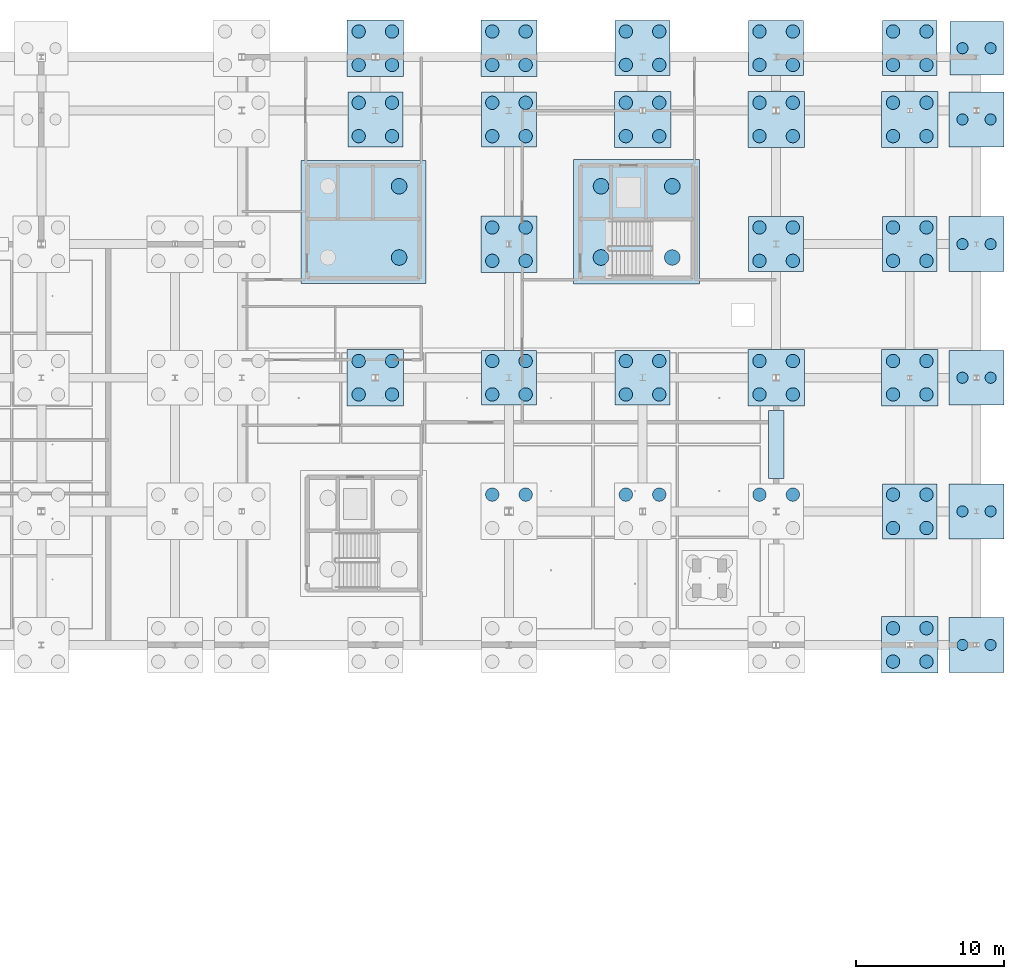
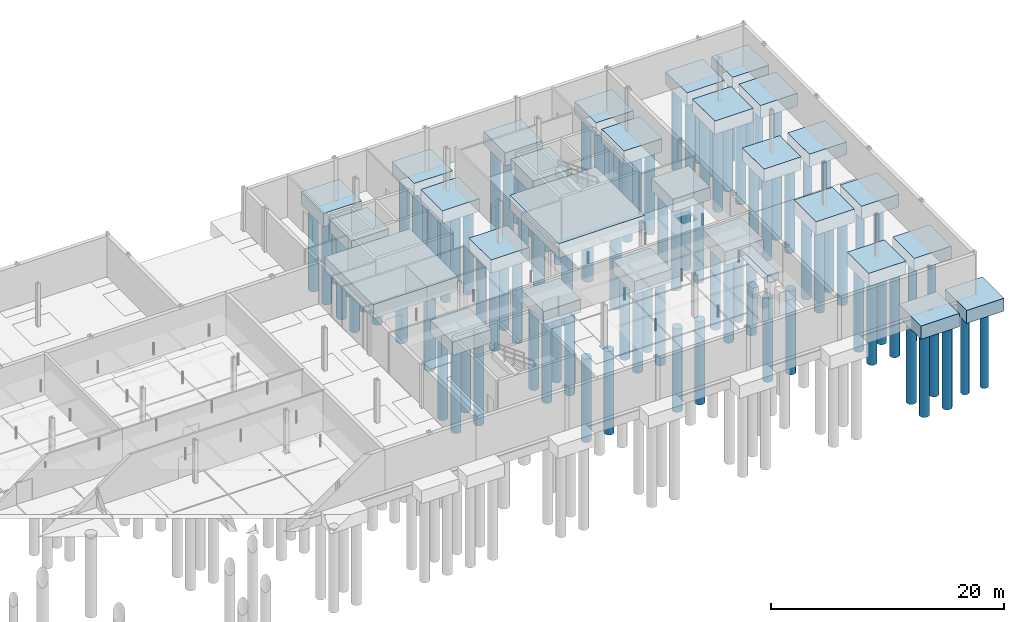
# One storey, part 4 of 48: 104 piles, 29 footings.
"""IFC4 building model written with IfcOpenShell, lengths in metres."""

import ifcopenshell
import ifcopenshell.guid

model = None  # the IFC model being written
_history = None  # IfcOwnerHistory: only IFC2X3 demands one
_inside = {}  # id of a spatial element -> (the spatial element, [elements in it])
_under = {}  # id of a project, library or spatial element -> (it, [spatial elements below it])
_declared = {}  # id of a project -> (the project, [libraries it declares])
_typed = {}  # id of a type object -> (the type object, [elements of that type])
_made_of = {}  # id of a material, layer set ... -> (it, [elements and type objects made of it])


def new_model(schema):
    """Start an empty IFC model of exactly this schema.

    Asked for "IFC4X3", IfcOpenShell would pick the latest addendum, in which some entities
    have other attributes; the version numbers below select the first issue.
    IFC2X3 requires an IfcOwnerHistory on every rooted entity: one is made here for all.
    """
    global model, _history
    if schema == "IFC4X3":
        model = ifcopenshell.file(schema_version=(4, 3, 0, 0))
    else:
        model = ifcopenshell.file(schema=schema)
    _inside.clear()
    _under.clear()
    _declared.clear()
    _typed.clear()
    _made_of.clear()
    _history = None
    if model.schema == "IFC2X3":
        org = make("IfcOrganization", Name="unknown")
        user = make(
            "IfcPersonAndOrganization",
            ThePerson=make("IfcPerson", FamilyName="unknown"),
            TheOrganization=org,
        )
        app = make(
            "IfcApplication",
            ApplicationDeveloper=org,
            Version="unknown",
            ApplicationFullName="unknown",
            ApplicationIdentifier="unknown",
        )
        _history = make(
            "IfcOwnerHistory",
            OwningUser=user,
            OwningApplication=app,
            ChangeAction="ADDED",
            CreationDate=0,
        )
    return model


def make(cls, **values):
    """One entity of the class cls with the attributes given. An attribute that is None is left unset."""
    return model.create_entity(
        cls, **{name: value for name, value in values.items() if value is not None}
    )


def rooted(cls, **values):
    """An entity with a GlobalId (a new one), such as an element, a storey or a relation."""
    return make(cls, GlobalId=ifcopenshell.guid.new(), OwnerHistory=_history, **values)


def si_unit(unit_type, name, prefix=None):
    """IfcSIUnit, for example si_unit("LENGTHUNIT", "METRE", prefix="MILLI")."""
    return make("IfcSIUnit", UnitType=unit_type, Prefix=prefix, Name=name)


def assignment(units):
    """IfcUnitAssignment: the units of a project."""
    return None if units is None else make("IfcUnitAssignment", Units=units)


def point(xyz):
    """IfcCartesianPoint."""
    return None if xyz is None else make("IfcCartesianPoint", Coordinates=xyz)


def direction(xyz):
    """IfcDirection."""
    return None if xyz is None else make("IfcDirection", DirectionRatios=xyz)


def frame(location, z_axis=None, x_axis=None):
    """IfcAxis2Placement3D, a coordinate frame: its origin and axes. An axis left out is left unset."""
    return make(
        "IfcAxis2Placement3D",
        Location=point(location),
        Axis=direction(z_axis),
        RefDirection=direction(x_axis),
    )


def frame_2d(location, x_axis=None):
    """IfcAxis2Placement2D, a coordinate frame in the plane: its origin and x axis."""
    return make(
        "IfcAxis2Placement2D", Location=point(location), RefDirection=direction(x_axis)
    )


def origin():
    """The frame at (0, 0, 0) with its axes left unset."""
    return frame((0.0, 0.0, 0.0))


def origin_2d():
    """The frame at (0, 0) in the plane with its x axis left unset."""
    return frame_2d((0.0, 0.0))


def place(relative_to, where):
    """IfcLocalPlacement: puts the frame where relative to a parent placement (None: the world)."""
    return make(
        "IfcLocalPlacement", PlacementRelTo=relative_to, RelativePlacement=where
    )


def context(
    kind, dimensions, precision=None, world=None, true_north=None, identifier=None
):
    """IfcGeometricRepresentationContext, for example the 3D "Model" context."""
    return make(
        "IfcGeometricRepresentationContext",
        ContextIdentifier=identifier,
        ContextType=kind,
        CoordinateSpaceDimension=dimensions,
        Precision=precision,
        WorldCoordinateSystem=world,
        TrueNorth=true_north,
    )


def subcontext(parent, identifier, kind, view, scale=None):
    """IfcGeometricRepresentationSubContext, for example "Body" below "Model"."""
    return make(
        "IfcGeometricRepresentationSubContext",
        ContextIdentifier=identifier,
        ContextType=kind,
        ParentContext=parent,
        TargetScale=scale,
        TargetView=view,
    )


def project(units=None, contexts=None):
    """IfcProject with its units and contexts."""
    return rooted(
        "IfcProject",
        Name="project",
        RepresentationContexts=contexts,
        UnitsInContext=assignment(units),
    )


def spatial(cls, under=None, at=None, **own):
    """A site, building, storey or space (cls), placed at a placement, below another one or the project."""
    s = rooted(cls, ObjectPlacement=at, **own)
    if under is not None:
        _under.setdefault(under.id(), (under, []))[1].append(s)
    return s


def profile(cls, at=None, kind="AREA", **sizes):
    """A parametric profile (cls). Its sizes go by their IFC names, for example OverallWidth=200.0."""
    return make(cls, ProfileType=kind, Position=at, **sizes)


def rectangle(**sizes):
    """IfcRectangleProfileDef."""
    return profile("IfcRectangleProfileDef", **sizes)


def circle(**sizes):
    """IfcCircleProfileDef."""
    return profile("IfcCircleProfileDef", **sizes)


def extrude(swept, where, along, depth):
    """IfcExtrudedAreaSolid: the profile swept, set in the frame where, extruded along a direction by depth."""
    return make(
        "IfcExtrudedAreaSolid",
        SweptArea=swept,
        Position=where,
        ExtrudedDirection=direction(along),
        Depth=depth,
    )


def shape(context_of_items, identifier, shape_type, items):
    """IfcShapeRepresentation: the items that make up one representation, for example the "Body"."""
    return make(
        "IfcShapeRepresentation",
        ContextOfItems=context_of_items,
        RepresentationIdentifier=identifier,
        RepresentationType=shape_type,
        Items=items,
    )


def material(Name=None, Category=None):
    """IfcMaterial."""
    return make("IfcMaterial", Name=Name, Category=Category)


def material_profile(
    of_material, cross_section, Name=None, Category=None, Priority=None
):
    """IfcMaterialProfile: a cross section and its material."""
    return make(
        "IfcMaterialProfile",
        Name=Name,
        Material=of_material,
        Profile=cross_section,
        Priority=Priority,
        Category=Category,
    )


def profile_set(profiles, Name=None, composite=None):
    """IfcMaterialProfileSet."""
    return make(
        "IfcMaterialProfileSet",
        Name=Name,
        MaterialProfiles=profiles,
        CompositeProfile=composite,
    )


def made_of(thing, what):
    """Note that an element or type object is made of a material, layer set ...; save() writes the relation."""
    if what is not None:
        _made_of.setdefault(what.id(), (what, []))[1].append(thing)
    return thing


def type_object(cls, material=None, **own):
    """A type object (cls), such as IfcWallType, which elements share."""
    return made_of(rooted(cls, **own), material)


def element(
    cls,
    number,
    at=None,
    inside=None,
    cuts=None,
    type_object=None,
    material=None,
    context=None,
    identifier="Body",
    shape_type=None,
    held_by="IfcProductDefinitionShape",
    body=None,
    shapes=None,
    **own,
):
    """One element of the class cls, such as IfcWall. Its Tag is "e" and its number.

    at: its placement. inside: the storey or other place that contains it. cuts: it is an
    opening in that element (IfcRelVoidsElement). A single representation is given by context,
    identifier, shape_type and body (its items); several are given by shapes. held_by: the class
    of the entity that holds the representations. save() writes the other relations.
    """
    e = rooted(cls, Tag="e%d" % number, ObjectPlacement=at, **own)
    if body is not None:
        shapes = [shape(context, identifier, shape_type, body)]
    if shapes is not None:
        e.Representation = make(held_by, Representations=shapes)
    if inside is not None:
        _inside.setdefault(inside.id(), (inside, []))[1].append(e)
    if cuts is not None:
        rooted(
            "IfcRelVoidsElement", RelatingBuildingElement=cuts, RelatedOpeningElement=e
        )
    if type_object is not None:
        _typed.setdefault(type_object.id(), (type_object, []))[1].append(e)
    return made_of(e, material)


def aggregate(whole, parts):
    """IfcRelAggregates: a whole, such as a stair, and the parts it consists of."""
    return rooted("IfcRelAggregates", RelatingObject=whole, RelatedObjects=parts)


def save(model, path):
    """Write the relations noted so far, then the file.

    IfcRelAggregates (storeys below a building ...), IfcRelContainedInSpatialStructure (elements
    in a storey), IfcRelDefinesByType, IfcRelAssociatesMaterial and IfcRelDeclares: one each for
    every whole, place, type object, material and project.
    """
    for whole, parts in _under.values():
        aggregate(whole, parts)
    for where, things in _inside.values():
        rooted(
            "IfcRelContainedInSpatialStructure",
            RelatedElements=things,
            RelatingStructure=where,
        )
    for kind, things in _typed.values():
        rooted("IfcRelDefinesByType", RelatedObjects=things, RelatingType=kind)
    for what, things in _made_of.values():
        rooted("IfcRelAssociatesMaterial", RelatedObjects=things, RelatingMaterial=what)
    for by, libraries in _declared.values():
        rooted("IfcRelDeclares", RelatingContext=by, RelatedDefinitions=libraries)
    model.write(path)


model = new_model("IFC4")

# Units and contexts
model_context = context("Model", 3, precision=1e-05, world=origin(), true_north=direction((0.0, 1.0)))
body_context = subcontext(model_context, "Body", "Model", "MODEL_VIEW")
ifc_project = project(units=[si_unit("LENGTHUNIT", "METRE"), si_unit("AREAUNIT", "SQUARE_METRE"), si_unit("VOLUMEUNIT", "CUBIC_METRE"), si_unit("PLANEANGLEUNIT", "RADIAN"), si_unit("MASSUNIT", "GRAM", prefix="KILO"), si_unit("THERMODYNAMICTEMPERATUREUNIT", "KELVIN"), si_unit("POWERUNIT", "WATT")], contexts=[model_context])

# Site, building, storey
site_placement = place(None, origin())
site = spatial("IfcSite", under=ifc_project, at=site_placement, CompositionType="ELEMENT")
building_placement = place(site_placement, origin())
building = spatial("IfcBuilding", under=site, at=building_placement, Name="Tallowbark Science Centre", CompositionType="ELEMENT")
storey_placement = place(building_placement, frame((0.0, 0.0, -4.5)))
storey = spatial("IfcBuildingStorey", under=building, at=storey_placement, Name="B1", CompositionType="ELEMENT", Elevation=-4.5)

# Footings
ifc_material = material(Name="Concrete Grade N40 (40 MPa)", Category="concrete")
footing_type_1 = type_object("IfcFootingType", Name="FTG-CORE-C4", PredefinedType="PILE_CAP", material=ifc_material)
footing_1_placement = place(storey_placement, frame((139.10009765625, 100.5, -1.5), z_axis=(0.0, 0.0, 1.0), x_axis=(1.0, 0.0, 0.0)))
element("IfcFooting", 1, at=footing_1_placement, inside=storey, type_object=footing_type_1, Name="Core Mat Pile Cap C4", PredefinedType="PILE_CAP", context=body_context, shape_type="SweptSolid", body=[
    extrude(rectangle(XDim=8.5, YDim=8.39990234375, at=origin_2d()), origin(), (0.0, 0.0, 1.0), 1.5),
])
footing_type_2 = type_object("IfcFootingType", Name="FTG-CORE-C5", PredefinedType="PILE_CAP", material=ifc_material)
footing_2_placement = place(storey_placement, frame((120.699951171875, 100.5, -1.4501953125), z_axis=(0.0, 0.0, 1.0), x_axis=(1.0, 0.0, 0.0)))
element("IfcFooting", 2, at=footing_2_placement, inside=storey, type_object=footing_type_2, Name="Core Mat Pile Cap C5", PredefinedType="PILE_CAP", context=body_context, shape_type="SweptSolid", body=[
    extrude(rectangle(XDim=8.39990234375, YDim=8.300048828125, at=origin_2d()), origin(), (0.0, 0.0, 1.0), 1.449951171875),
])
footing_type_3 = type_object("IfcFootingType", Name="FTG-PC4-260", PredefinedType="PILE_CAP", material=ifc_material)
footing_3_placement = place(storey_placement, frame((162.0, 112.199951171875, -1.2998046875), z_axis=(0.0, 0.0, 1.0), x_axis=(1.0, 0.0, 0.0)))
element("IfcFooting", 3, at=footing_3_placement, inside=storey, type_object=footing_type_3, Name="Pile Cap OBS-6_5", PredefinedType="PILE_CAP", context=body_context, shape_type="SweptSolid", body=[
    extrude(rectangle(XDim=3.60009765625, YDim=3.60009765625, at=origin_2d()), origin(), (0.0, 0.0, 1.0), 1.300048828125),
])
footing_type_4 = type_object("IfcFootingType", Name="FTG-PC4-270", PredefinedType="PILE_CAP", material=ifc_material)
for number, where, z_axis, x_axis, name in (
    (4, (121.5, 107.39990234375, -1.35009765625), (0.0, 0.0, 1.0), (1.0, 0.0, 0.0), "Pile Cap OBS-1_4"),
    (5, (130.5, 90.0, -1.35009765625), (0.0, 0.0, 1.0), (1.0, 0.0, 0.0), "Pile Cap OBS-2_2"),
    (6, (130.5, 107.39990234375, -1.35009765625), (0.0, 0.0, 1.0), (1.0, 0.0, 0.0), "Pile Cap OBS-2_4"),
    (7, (139.5, 90.0, -1.35009765625), (0.0, 0.0, 1.0), (1.0, 0.0, 0.0), "Pile Cap OBS-3_2"),
    (8, (139.5, 112.199951171875, -1.35009765625), (0.0, 0.0, 1.0), (1.0, 0.0, 0.0), "Pile Cap OBS-3_5"),
    (9, (148.5, 99.0, -1.35009765625), (0.0, 0.0, 1.0), (1.0, 0.0, 0.0), "Pile Cap OBS-4_3"),
    (10, (148.5, 112.199951171875, -1.35009765625), (0.0, 0.0, 1.0), (1.0, 0.0, 0.0), "Pile Cap OBS-4_5"),
    (11, (157.5, 81.0, -1.35009765625), (0.0, 0.0, 1.0), (1.0, 0.0, 0.0), "Pile Cap OBS-5_1"),
    (12, (157.5, 99.0, -1.35009765625), (0.0, 0.0, 1.0), (1.0, 0.0, 0.0), "Pile Cap OBS-5_3"),
    (13, (157.5, 112.199951171875, -1.35009765625), (0.0, 0.0, 1.0), (1.0, 0.0, 0.0), "Pile Cap OBS-5_5"),
    (14, (162.0, 72.0, -1.35009765625), (0.0, 0.0, 1.0), (1.0, 0.0, 0.0), "Pile Cap OBS-6_0"),
    (15, (162.0, 81.0, -1.35009765625), (0.0, 0.0, 1.0), (1.0, 0.0, 0.0), "Pile Cap OBS-6_1"),
    (16, (162.0, 90.0, -1.35009765625), (0.0, 0.0, 1.0), (1.0, 0.0, 0.0), "Pile Cap OBS-6_2"),
    (17, (162.0, 99.0, -1.35009765625), (0.0, 0.0, 1.0), (1.0, 0.0, 0.0), "Pile Cap OBS-6_3"),
    (18, (162.0, 107.39990234375, -1.35009765625), (0.0, 0.0, 1.0), (1.0, 0.0, 0.0), "Pile Cap OBS-6_4"),
):
    element("IfcFooting", number, at=place(storey_placement, frame(where, z_axis=z_axis, x_axis=x_axis)), inside=storey, type_object=footing_type_4, Name=name, PredefinedType="PILE_CAP", context=body_context, shape_type="SweptSolid", body=[
        extrude(rectangle(XDim=3.699951171875, YDim=3.699951171875, at=origin_2d()), origin(), (0.0, 0.0, 1.0), 1.35009765625),
    ])
footing_type_5 = type_object("IfcFootingType", Name="FTG-PC4-280", PredefinedType="PILE_CAP", material=ifc_material)
for number, where, z_axis, x_axis, name in (
    (19, (121.5, 90.0, -1.39990234375), (0.0, 0.0, 1.0), (1.0, 0.0, 0.0), "Pile Cap OBS-1_2"),
    (20, (121.5, 112.199951171875, -1.39990234375), (0.0, 0.0, 1.0), (1.0, 0.0, 0.0), "Pile Cap OBS-1_5"),
    (21, (130.5, 99.0, -1.39990234375), (0.0, 0.0, 1.0), (1.0, 0.0, 0.0), "Pile Cap OBS-2_3"),
    (22, (130.5, 112.199951171875, -1.39990234375), (0.0, 0.0, 1.0), (1.0, 0.0, 0.0), "Pile Cap OBS-2_5"),
    (23, (139.5, 107.39990234375, -1.39990234375), (0.0, 0.0, 1.0), (1.0, 0.0, 0.0), "Pile Cap OBS-3_4"),
    (24, (148.5, 90.0, -1.39990234375), (0.0, 0.0, 1.0), (1.0, 0.0, 0.0), "Pile Cap OBS-4_2"),
    (25, (148.5, 107.39990234375, -1.39990234375), (0.0, 0.0, 1.0), (1.0, 0.0, 0.0), "Pile Cap OBS-4_4"),
    (26, (157.5, 72.0, -1.39990234375), (0.0, 0.0, 1.0), (1.0, 0.0, 0.0), "Pile Cap OBS-5_0"),
    (27, (157.5, 90.0, -1.39990234375), (0.0, 0.0, 1.0), (1.0, 0.0, 0.0), "Pile Cap OBS-5_2"),
    (28, (157.5, 107.39990234375, -1.39990234375), (0.0, 0.0, 1.0), (1.0, 0.0, 0.0), "Pile Cap OBS-5_4"),
):
    element("IfcFooting", number, at=place(storey_placement, frame(where, z_axis=z_axis, x_axis=x_axis)), inside=storey, type_object=footing_type_5, Name=name, PredefinedType="PILE_CAP", context=body_context, shape_type="SweptSolid", body=[
        extrude(rectangle(XDim=3.800048828125, YDim=3.800048828125, at=origin_2d()), origin(), (0.0, 0.0, 1.0), 1.39990234375),
    ])
footing_type_6 = type_object("IfcFootingType", Name="FTG-STR-1050", PredefinedType="STRIP_FOOTING", material=ifc_material)
footing_4_placement = place(storey_placement, frame((148.5, 85.5, -0.7998046875), z_axis=(0.0, 0.0, 1.0), x_axis=(0.0, 1.0, 0.0)))
element("IfcFooting", 29, at=footing_4_placement, inside=storey, type_object=footing_type_6, Name="Strip Footing STR-E2", PredefinedType="STRIP_FOOTING", context=body_context, shape_type="SweptSolid", body=[
    extrude(rectangle(XDim=4.60009765625, YDim=1.050048828125, at=origin_2d()), origin(), (0.0, 0.0, 1.0), 0.800048828125),
])

# Piles
ifc_material_profile_1 = material_profile(ifc_material, circle(Radius=0.52490234375, at=origin_2d()), Name="PILE1050")
ifc_profile_set_1 = profile_set([ifc_material_profile_1], Name="Concrete Grade N40 (40 MPa)")
pile_type_1 = type_object("IfcPileType", Name="PIL-B1050", PredefinedType="BORED", material=ifc_profile_set_1)
for number, where, z_axis, x_axis, name in (
    (30, (136.699951171875, 98.10009765625, -1.35009765625), (0.0, 0.0, -1.0), (1.0, 0.0, 0.0), "Core Bored Pile C4-1"),
    (31, (141.5, 98.10009765625, -1.35009765625), (0.0, 0.0, -1.0), (1.0, 0.0, 0.0), "Core Bored Pile C4-2"),
    (32, (136.699951171875, 102.89990234375, -1.35009765625), (0.0, 0.0, -1.0), (1.0, 0.0, 0.0), "Core Bored Pile C4-3"),
    (33, (141.5, 102.89990234375, -1.35009765625), (0.0, 0.0, -1.0), (1.0, 0.0, 0.0), "Core Bored Pile C4-4"),
):
    element("IfcPile", number, at=place(storey_placement, frame(where, z_axis=z_axis, x_axis=x_axis)), inside=storey, type_object=pile_type_1, Name=name, PredefinedType="BORED", context=body_context, shape_type="SweptSolid", body=[
        extrude(circle(Radius=0.52490234375, at=origin_2d()), origin(), (0.0, 0.0, 1.0), 8.64990234375),
    ])
for number, where, z_axis, x_axis, name in (
    (34, (123.10009765625, 98.10009765625, -1.300048828125), (0.0, 0.0, -1.0), (1.0, 0.0, 0.0), "Core Bored Pile C5-2"),
    (35, (123.10009765625, 102.89990234375, -1.300048828125), (0.0, 0.0, -1.0), (1.0, 0.0, 0.0), "Core Bored Pile C5-4"),
):
    element("IfcPile", number, at=place(storey_placement, frame(where, z_axis=z_axis, x_axis=x_axis)), inside=storey, type_object=pile_type_1, Name=name, PredefinedType="BORED", context=body_context, shape_type="SweptSolid", body=[
        extrude(circle(Radius=0.52490234375, at=origin_2d()), origin(), (0.0, 0.0, 1.0), 8.699951171875),
    ])
ifc_material_profile_2 = material_profile(ifc_material, circle(Radius=0.375, at=origin_2d()), Name="PILE750")
ifc_profile_set_2 = profile_set([ifc_material_profile_2], Name="Concrete Grade N40 (40 MPa)")
pile_type_2 = type_object("IfcPileType", Name="PIL-B750", PredefinedType="BORED", material=ifc_profile_set_2)
for number, where, z_axis, x_axis, name in (
    (36, (161.050048828125, 72.0, -1.199951171875), (0.0, 0.0, -1.0), (1.0, 0.0, 0.0), "Bored Pile OBS-6_0-1"),
    (37, (162.949951171875, 72.0, -1.199951171875), (0.0, 0.0, -1.0), (1.0, 0.0, 0.0), "Bored Pile OBS-6_0-2"),
    (38, (161.050048828125, 81.0, -1.199951171875), (0.0, 0.0, -1.0), (1.0, 0.0, 0.0), "Bored Pile OBS-6_1-1"),
    (39, (162.949951171875, 81.0, -1.199951171875), (0.0, 0.0, -1.0), (1.0, 0.0, 0.0), "Bored Pile OBS-6_1-2"),
    (40, (161.050048828125, 90.0, -1.199951171875), (0.0, 0.0, -1.0), (1.0, 0.0, 0.0), "Bored Pile OBS-6_2-1"),
    (41, (162.949951171875, 90.0, -1.199951171875), (0.0, 0.0, -1.0), (1.0, 0.0, 0.0), "Bored Pile OBS-6_2-2"),
    (42, (161.050048828125, 99.0, -1.199951171875), (0.0, 0.0, -1.0), (1.0, 0.0, 0.0), "Bored Pile OBS-6_3-1"),
    (43, (162.949951171875, 99.0, -1.199951171875), (0.0, 0.0, -1.0), (1.0, 0.0, 0.0), "Bored Pile OBS-6_3-2"),
    (44, (161.050048828125, 107.39990234375, -1.199951171875), (0.0, 0.0, -1.0), (1.0, 0.0, 0.0), "Bored Pile OBS-6_4-1"),
    (45, (162.949951171875, 107.39990234375, -1.199951171875), (0.0, 0.0, -1.0), (1.0, 0.0, 0.0), "Bored Pile OBS-6_4-2"),
):
    element("IfcPile", number, at=place(storey_placement, frame(where, z_axis=z_axis, x_axis=x_axis)), inside=storey, type_object=pile_type_2, Name=name, PredefinedType="BORED", context=body_context, shape_type="SweptSolid", body=[
        extrude(circle(Radius=0.375, at=origin_2d()), origin(), (0.0, 0.0, 1.0), 8.800048828125),
    ])
for number, where, z_axis, x_axis, name in (
    (46, (161.050048828125, 112.199951171875, -1.14990234375), (0.0, 0.0, -1.0), (1.0, 0.0, 0.0), "Bored Pile OBS-6_5-1"),
    (47, (162.949951171875, 112.199951171875, -1.14990234375), (0.0, 0.0, -1.0), (1.0, 0.0, 0.0), "Bored Pile OBS-6_5-2"),
):
    element("IfcPile", number, at=place(storey_placement, frame(where, z_axis=z_axis, x_axis=x_axis)), inside=storey, type_object=pile_type_2, Name=name, PredefinedType="BORED", context=body_context, shape_type="SweptSolid", body=[
        extrude(circle(Radius=0.375, at=origin_2d()), origin(), (0.0, 0.0, 1.0), 8.85009765625),
    ])
ifc_material_profile_3 = material_profile(ifc_material, circle(Radius=0.449951171875, at=origin_2d()), Name="PILE900")
ifc_profile_set_3 = profile_set([ifc_material_profile_3], Name="Concrete Grade N40 (40 MPa)")
pile_type_3 = type_object("IfcPileType", Name="PIL-B900", PredefinedType="BORED", material=ifc_profile_set_3)
for number, where, z_axis, x_axis, name in (
    (48, (120.375, 88.875, -1.25), (0.0, 0.0, -1.0), (1.0, 0.0, 0.0), "Bored Pile OBS-1_2-1"),
    (49, (122.625, 88.875, -1.25), (0.0, 0.0, -1.0), (1.0, 0.0, 0.0), "Bored Pile OBS-1_2-2"),
    (50, (120.375, 91.125, -1.25), (0.0, 0.0, -1.0), (1.0, 0.0, 0.0), "Bored Pile OBS-1_2-3"),
    (51, (122.625, 91.125, -1.25), (0.0, 0.0, -1.0), (1.0, 0.0, 0.0), "Bored Pile OBS-1_2-4"),
):
    element("IfcPile", number, at=place(storey_placement, frame(where, z_axis=z_axis, x_axis=x_axis)), inside=storey, type_object=pile_type_3, Name=name, PredefinedType="BORED", context=body_context, shape_type="SweptSolid", body=[
        extrude(circle(Radius=0.449951171875, at=origin_2d()), origin(), (0.0, 0.0, 1.0), 8.75),
    ])
for number, where, z_axis, x_axis, name in (
    (52, (120.375, 106.27490234375, -1.199951171875), (0.0, 0.0, -1.0), (1.0, 0.0, 0.0), "Bored Pile OBS-1_4-1"),
    (53, (122.625, 106.27490234375, -1.199951171875), (0.0, 0.0, -1.0), (1.0, 0.0, 0.0), "Bored Pile OBS-1_4-2"),
    (54, (120.375, 108.52490234375, -1.199951171875), (0.0, 0.0, -1.0), (1.0, 0.0, 0.0), "Bored Pile OBS-1_4-3"),
    (55, (122.625, 108.52490234375, -1.199951171875), (0.0, 0.0, -1.0), (1.0, 0.0, 0.0), "Bored Pile OBS-1_4-4"),
):
    element("IfcPile", number, at=place(storey_placement, frame(where, z_axis=z_axis, x_axis=x_axis)), inside=storey, type_object=pile_type_3, Name=name, PredefinedType="BORED", context=body_context, shape_type="SweptSolid", body=[
        extrude(circle(Radius=0.449951171875, at=origin_2d()), origin(), (0.0, 0.0, 1.0), 8.800048828125),
    ])
for number, where, z_axis, x_axis, name in (
    (56, (120.375, 111.074951171875, -1.25), (0.0, 0.0, -1.0), (1.0, 0.0, 0.0), "Bored Pile OBS-1_5-1"),
    (57, (122.625, 111.074951171875, -1.25), (0.0, 0.0, -1.0), (1.0, 0.0, 0.0), "Bored Pile OBS-1_5-2"),
    (58, (120.375, 113.324951171875, -1.25), (0.0, 0.0, -1.0), (1.0, 0.0, 0.0), "Bored Pile OBS-1_5-3"),
    (59, (122.625, 113.324951171875, -1.25), (0.0, 0.0, -1.0), (1.0, 0.0, 0.0), "Bored Pile OBS-1_5-4"),
    (60, (129.375, 82.125, -1.25), (0.0, 0.0, -1.0), (1.0, 0.0, 0.0), "Bored Pile OBS-2_1-3"),
    (61, (131.625, 82.125, -1.25), (0.0, 0.0, -1.0), (1.0, 0.0, 0.0), "Bored Pile OBS-2_1-4"),
):
    element("IfcPile", number, at=place(storey_placement, frame(where, z_axis=z_axis, x_axis=x_axis)), inside=storey, type_object=pile_type_3, Name=name, PredefinedType="BORED", context=body_context, shape_type="SweptSolid", body=[
        extrude(circle(Radius=0.449951171875, at=origin_2d()), origin(), (0.0, 0.0, 1.0), 8.75),
    ])
for number, where, z_axis, x_axis, name in (
    (62, (129.375, 88.875, -1.199951171875), (0.0, 0.0, -1.0), (1.0, 0.0, 0.0), "Bored Pile OBS-2_2-1"),
    (63, (131.625, 88.875, -1.199951171875), (0.0, 0.0, -1.0), (1.0, 0.0, 0.0), "Bored Pile OBS-2_2-2"),
    (64, (129.375, 91.125, -1.199951171875), (0.0, 0.0, -1.0), (1.0, 0.0, 0.0), "Bored Pile OBS-2_2-3"),
    (65, (131.625, 91.125, -1.199951171875), (0.0, 0.0, -1.0), (1.0, 0.0, 0.0), "Bored Pile OBS-2_2-4"),
):
    element("IfcPile", number, at=place(storey_placement, frame(where, z_axis=z_axis, x_axis=x_axis)), inside=storey, type_object=pile_type_3, Name=name, PredefinedType="BORED", context=body_context, shape_type="SweptSolid", body=[
        extrude(circle(Radius=0.449951171875, at=origin_2d()), origin(), (0.0, 0.0, 1.0), 8.800048828125),
    ])
for number, where, z_axis, x_axis, name in (
    (66, (129.375, 97.875, -1.25), (0.0, 0.0, -1.0), (1.0, 0.0, 0.0), "Bored Pile OBS-2_3-1"),
    (67, (131.625, 97.875, -1.25), (0.0, 0.0, -1.0), (1.0, 0.0, 0.0), "Bored Pile OBS-2_3-2"),
    (68, (129.375, 100.125, -1.25), (0.0, 0.0, -1.0), (1.0, 0.0, 0.0), "Bored Pile OBS-2_3-3"),
    (69, (131.625, 100.125, -1.25), (0.0, 0.0, -1.0), (1.0, 0.0, 0.0), "Bored Pile OBS-2_3-4"),
):
    element("IfcPile", number, at=place(storey_placement, frame(where, z_axis=z_axis, x_axis=x_axis)), inside=storey, type_object=pile_type_3, Name=name, PredefinedType="BORED", context=body_context, shape_type="SweptSolid", body=[
        extrude(circle(Radius=0.449951171875, at=origin_2d()), origin(), (0.0, 0.0, 1.0), 8.75),
    ])
for number, where, z_axis, x_axis, name in (
    (70, (129.375, 106.27490234375, -1.199951171875), (0.0, 0.0, -1.0), (1.0, 0.0, 0.0), "Bored Pile OBS-2_4-1"),
    (71, (131.625, 106.27490234375, -1.199951171875), (0.0, 0.0, -1.0), (1.0, 0.0, 0.0), "Bored Pile OBS-2_4-2"),
    (72, (129.375, 108.52490234375, -1.199951171875), (0.0, 0.0, -1.0), (1.0, 0.0, 0.0), "Bored Pile OBS-2_4-3"),
    (73, (131.625, 108.52490234375, -1.199951171875), (0.0, 0.0, -1.0), (1.0, 0.0, 0.0), "Bored Pile OBS-2_4-4"),
):
    element("IfcPile", number, at=place(storey_placement, frame(where, z_axis=z_axis, x_axis=x_axis)), inside=storey, type_object=pile_type_3, Name=name, PredefinedType="BORED", context=body_context, shape_type="SweptSolid", body=[
        extrude(circle(Radius=0.449951171875, at=origin_2d()), origin(), (0.0, 0.0, 1.0), 8.800048828125),
    ])
for number, where, z_axis, x_axis, name in (
    (74, (129.375, 111.074951171875, -1.25), (0.0, 0.0, -1.0), (1.0, 0.0, 0.0), "Bored Pile OBS-2_5-1"),
    (75, (131.625, 111.074951171875, -1.25), (0.0, 0.0, -1.0), (1.0, 0.0, 0.0), "Bored Pile OBS-2_5-2"),
    (76, (129.375, 113.324951171875, -1.25), (0.0, 0.0, -1.0), (1.0, 0.0, 0.0), "Bored Pile OBS-2_5-3"),
    (77, (131.625, 113.324951171875, -1.25), (0.0, 0.0, -1.0), (1.0, 0.0, 0.0), "Bored Pile OBS-2_5-4"),
    (78, (138.375, 82.125, -1.25), (0.0, 0.0, -1.0), (1.0, 0.0, 0.0), "Bored Pile OBS-3_1-3"),
    (79, (140.625, 82.125, -1.25), (0.0, 0.0, -1.0), (1.0, 0.0, 0.0), "Bored Pile OBS-3_1-4"),
):
    element("IfcPile", number, at=place(storey_placement, frame(where, z_axis=z_axis, x_axis=x_axis)), inside=storey, type_object=pile_type_3, Name=name, PredefinedType="BORED", context=body_context, shape_type="SweptSolid", body=[
        extrude(circle(Radius=0.449951171875, at=origin_2d()), origin(), (0.0, 0.0, 1.0), 8.75),
    ])
for number, where, z_axis, x_axis, name in (
    (80, (138.375, 88.875, -1.199951171875), (0.0, 0.0, -1.0), (1.0, 0.0, 0.0), "Bored Pile OBS-3_2-1"),
    (81, (140.625, 88.875, -1.199951171875), (0.0, 0.0, -1.0), (1.0, 0.0, 0.0), "Bored Pile OBS-3_2-2"),
    (82, (138.375, 91.125, -1.199951171875), (0.0, 0.0, -1.0), (1.0, 0.0, 0.0), "Bored Pile OBS-3_2-3"),
    (83, (140.625, 91.125, -1.199951171875), (0.0, 0.0, -1.0), (1.0, 0.0, 0.0), "Bored Pile OBS-3_2-4"),
):
    element("IfcPile", number, at=place(storey_placement, frame(where, z_axis=z_axis, x_axis=x_axis)), inside=storey, type_object=pile_type_3, Name=name, PredefinedType="BORED", context=body_context, shape_type="SweptSolid", body=[
        extrude(circle(Radius=0.449951171875, at=origin_2d()), origin(), (0.0, 0.0, 1.0), 8.800048828125),
    ])
for number, where, z_axis, x_axis, name in (
    (84, (138.375, 106.27490234375, -1.25), (0.0, 0.0, -1.0), (1.0, 0.0, 0.0), "Bored Pile OBS-3_4-1"),
    (85, (140.625, 106.27490234375, -1.25), (0.0, 0.0, -1.0), (1.0, 0.0, 0.0), "Bored Pile OBS-3_4-2"),
    (86, (138.375, 108.52490234375, -1.25), (0.0, 0.0, -1.0), (1.0, 0.0, 0.0), "Bored Pile OBS-3_4-3"),
    (87, (140.625, 108.52490234375, -1.25), (0.0, 0.0, -1.0), (1.0, 0.0, 0.0), "Bored Pile OBS-3_4-4"),
):
    element("IfcPile", number, at=place(storey_placement, frame(where, z_axis=z_axis, x_axis=x_axis)), inside=storey, type_object=pile_type_3, Name=name, PredefinedType="BORED", context=body_context, shape_type="SweptSolid", body=[
        extrude(circle(Radius=0.449951171875, at=origin_2d()), origin(), (0.0, 0.0, 1.0), 8.75),
    ])
for number, where, z_axis, x_axis, name in (
    (88, (138.375, 111.074951171875, -1.199951171875), (0.0, 0.0, -1.0), (1.0, 0.0, 0.0), "Bored Pile OBS-3_5-1"),
    (89, (140.625, 111.074951171875, -1.199951171875), (0.0, 0.0, -1.0), (1.0, 0.0, 0.0), "Bored Pile OBS-3_5-2"),
    (90, (138.375, 113.324951171875, -1.199951171875), (0.0, 0.0, -1.0), (1.0, 0.0, 0.0), "Bored Pile OBS-3_5-3"),
    (91, (140.625, 113.324951171875, -1.199951171875), (0.0, 0.0, -1.0), (1.0, 0.0, 0.0), "Bored Pile OBS-3_5-4"),
    (92, (147.375, 82.125, -1.199951171875), (0.0, 0.0, -1.0), (1.0, 0.0, 0.0), "Bored Pile OBS-4_1-3"),
    (93, (149.625, 82.125, -1.199951171875), (0.0, 0.0, -1.0), (1.0, 0.0, 0.0), "Bored Pile OBS-4_1-4"),
):
    element("IfcPile", number, at=place(storey_placement, frame(where, z_axis=z_axis, x_axis=x_axis)), inside=storey, type_object=pile_type_3, Name=name, PredefinedType="BORED", context=body_context, shape_type="SweptSolid", body=[
        extrude(circle(Radius=0.449951171875, at=origin_2d()), origin(), (0.0, 0.0, 1.0), 8.800048828125),
    ])
for number, where, z_axis, x_axis, name in (
    (94, (147.375, 88.875, -1.25), (0.0, 0.0, -1.0), (1.0, 0.0, 0.0), "Bored Pile OBS-4_2-1"),
    (95, (149.625, 88.875, -1.25), (0.0, 0.0, -1.0), (1.0, 0.0, 0.0), "Bored Pile OBS-4_2-2"),
    (96, (147.375, 91.125, -1.25), (0.0, 0.0, -1.0), (1.0, 0.0, 0.0), "Bored Pile OBS-4_2-3"),
    (97, (149.625, 91.125, -1.25), (0.0, 0.0, -1.0), (1.0, 0.0, 0.0), "Bored Pile OBS-4_2-4"),
):
    element("IfcPile", number, at=place(storey_placement, frame(where, z_axis=z_axis, x_axis=x_axis)), inside=storey, type_object=pile_type_3, Name=name, PredefinedType="BORED", context=body_context, shape_type="SweptSolid", body=[
        extrude(circle(Radius=0.449951171875, at=origin_2d()), origin(), (0.0, 0.0, 1.0), 8.75),
    ])
for number, where, z_axis, x_axis, name in (
    (98, (147.375, 97.875, -1.199951171875), (0.0, 0.0, -1.0), (1.0, 0.0, 0.0), "Bored Pile OBS-4_3-1"),
    (99, (149.625, 97.875, -1.199951171875), (0.0, 0.0, -1.0), (1.0, 0.0, 0.0), "Bored Pile OBS-4_3-2"),
    (100, (147.375, 100.125, -1.199951171875), (0.0, 0.0, -1.0), (1.0, 0.0, 0.0), "Bored Pile OBS-4_3-3"),
    (101, (149.625, 100.125, -1.199951171875), (0.0, 0.0, -1.0), (1.0, 0.0, 0.0), "Bored Pile OBS-4_3-4"),
):
    element("IfcPile", number, at=place(storey_placement, frame(where, z_axis=z_axis, x_axis=x_axis)), inside=storey, type_object=pile_type_3, Name=name, PredefinedType="BORED", context=body_context, shape_type="SweptSolid", body=[
        extrude(circle(Radius=0.449951171875, at=origin_2d()), origin(), (0.0, 0.0, 1.0), 8.800048828125),
    ])
for number, where, z_axis, x_axis, name in (
    (102, (147.375, 106.27490234375, -1.25), (0.0, 0.0, -1.0), (1.0, 0.0, 0.0), "Bored Pile OBS-4_4-1"),
    (103, (149.625, 106.27490234375, -1.25), (0.0, 0.0, -1.0), (1.0, 0.0, 0.0), "Bored Pile OBS-4_4-2"),
    (104, (147.375, 108.52490234375, -1.25), (0.0, 0.0, -1.0), (1.0, 0.0, 0.0), "Bored Pile OBS-4_4-3"),
    (105, (149.625, 108.52490234375, -1.25), (0.0, 0.0, -1.0), (1.0, 0.0, 0.0), "Bored Pile OBS-4_4-4"),
):
    element("IfcPile", number, at=place(storey_placement, frame(where, z_axis=z_axis, x_axis=x_axis)), inside=storey, type_object=pile_type_3, Name=name, PredefinedType="BORED", context=body_context, shape_type="SweptSolid", body=[
        extrude(circle(Radius=0.449951171875, at=origin_2d()), origin(), (0.0, 0.0, 1.0), 8.75),
    ])
for number, where, z_axis, x_axis, name in (
    (106, (147.375, 111.074951171875, -1.199951171875), (0.0, 0.0, -1.0), (1.0, 0.0, 0.0), "Bored Pile OBS-4_5-1"),
    (107, (149.625, 111.074951171875, -1.199951171875), (0.0, 0.0, -1.0), (1.0, 0.0, 0.0), "Bored Pile OBS-4_5-2"),
    (108, (147.375, 113.324951171875, -1.199951171875), (0.0, 0.0, -1.0), (1.0, 0.0, 0.0), "Bored Pile OBS-4_5-3"),
    (109, (149.625, 113.324951171875, -1.199951171875), (0.0, 0.0, -1.0), (1.0, 0.0, 0.0), "Bored Pile OBS-4_5-4"),
):
    element("IfcPile", number, at=place(storey_placement, frame(where, z_axis=z_axis, x_axis=x_axis)), inside=storey, type_object=pile_type_3, Name=name, PredefinedType="BORED", context=body_context, shape_type="SweptSolid", body=[
        extrude(circle(Radius=0.449951171875, at=origin_2d()), origin(), (0.0, 0.0, 1.0), 8.800048828125),
    ])
for number, where, z_axis, x_axis, name in (
    (110, (156.375, 70.875, -1.25), (0.0, 0.0, -1.0), (1.0, 0.0, 0.0), "Bored Pile OBS-5_0-1"),
    (111, (158.625, 70.875, -1.25), (0.0, 0.0, -1.0), (1.0, 0.0, 0.0), "Bored Pile OBS-5_0-2"),
    (112, (156.375, 73.125, -1.25), (0.0, 0.0, -1.0), (1.0, 0.0, 0.0), "Bored Pile OBS-5_0-3"),
    (113, (158.625, 73.125, -1.25), (0.0, 0.0, -1.0), (1.0, 0.0, 0.0), "Bored Pile OBS-5_0-4"),
):
    element("IfcPile", number, at=place(storey_placement, frame(where, z_axis=z_axis, x_axis=x_axis)), inside=storey, type_object=pile_type_3, Name=name, PredefinedType="BORED", context=body_context, shape_type="SweptSolid", body=[
        extrude(circle(Radius=0.449951171875, at=origin_2d()), origin(), (0.0, 0.0, 1.0), 8.75),
    ])
for number, where, z_axis, x_axis, name in (
    (114, (156.375, 79.875, -1.199951171875), (0.0, 0.0, -1.0), (1.0, 0.0, 0.0), "Bored Pile OBS-5_1-1"),
    (115, (158.625, 79.875, -1.199951171875), (0.0, 0.0, -1.0), (1.0, 0.0, 0.0), "Bored Pile OBS-5_1-2"),
    (116, (156.375, 82.125, -1.199951171875), (0.0, 0.0, -1.0), (1.0, 0.0, 0.0), "Bored Pile OBS-5_1-3"),
    (117, (158.625, 82.125, -1.199951171875), (0.0, 0.0, -1.0), (1.0, 0.0, 0.0), "Bored Pile OBS-5_1-4"),
):
    element("IfcPile", number, at=place(storey_placement, frame(where, z_axis=z_axis, x_axis=x_axis)), inside=storey, type_object=pile_type_3, Name=name, PredefinedType="BORED", context=body_context, shape_type="SweptSolid", body=[
        extrude(circle(Radius=0.449951171875, at=origin_2d()), origin(), (0.0, 0.0, 1.0), 8.800048828125),
    ])
for number, where, z_axis, x_axis, name in (
    (118, (156.375, 88.875, -1.25), (0.0, 0.0, -1.0), (1.0, 0.0, 0.0), "Bored Pile OBS-5_2-1"),
    (119, (158.625, 88.875, -1.25), (0.0, 0.0, -1.0), (1.0, 0.0, 0.0), "Bored Pile OBS-5_2-2"),
    (120, (156.375, 91.125, -1.25), (0.0, 0.0, -1.0), (1.0, 0.0, 0.0), "Bored Pile OBS-5_2-3"),
    (121, (158.625, 91.125, -1.25), (0.0, 0.0, -1.0), (1.0, 0.0, 0.0), "Bored Pile OBS-5_2-4"),
):
    element("IfcPile", number, at=place(storey_placement, frame(where, z_axis=z_axis, x_axis=x_axis)), inside=storey, type_object=pile_type_3, Name=name, PredefinedType="BORED", context=body_context, shape_type="SweptSolid", body=[
        extrude(circle(Radius=0.449951171875, at=origin_2d()), origin(), (0.0, 0.0, 1.0), 8.75),
    ])
for number, where, z_axis, x_axis, name in (
    (122, (156.375, 97.875, -1.199951171875), (0.0, 0.0, -1.0), (1.0, 0.0, 0.0), "Bored Pile OBS-5_3-1"),
    (123, (158.625, 97.875, -1.199951171875), (0.0, 0.0, -1.0), (1.0, 0.0, 0.0), "Bored Pile OBS-5_3-2"),
    (124, (156.375, 100.125, -1.199951171875), (0.0, 0.0, -1.0), (1.0, 0.0, 0.0), "Bored Pile OBS-5_3-3"),
    (125, (158.625, 100.125, -1.199951171875), (0.0, 0.0, -1.0), (1.0, 0.0, 0.0), "Bored Pile OBS-5_3-4"),
):
    element("IfcPile", number, at=place(storey_placement, frame(where, z_axis=z_axis, x_axis=x_axis)), inside=storey, type_object=pile_type_3, Name=name, PredefinedType="BORED", context=body_context, shape_type="SweptSolid", body=[
        extrude(circle(Radius=0.449951171875, at=origin_2d()), origin(), (0.0, 0.0, 1.0), 8.800048828125),
    ])
for number, where, z_axis, x_axis, name in (
    (126, (156.375, 106.27490234375, -1.25), (0.0, 0.0, -1.0), (1.0, 0.0, 0.0), "Bored Pile OBS-5_4-1"),
    (127, (158.625, 106.27490234375, -1.25), (0.0, 0.0, -1.0), (1.0, 0.0, 0.0), "Bored Pile OBS-5_4-2"),
    (128, (156.375, 108.52490234375, -1.25), (0.0, 0.0, -1.0), (1.0, 0.0, 0.0), "Bored Pile OBS-5_4-3"),
    (129, (158.625, 108.52490234375, -1.25), (0.0, 0.0, -1.0), (1.0, 0.0, 0.0), "Bored Pile OBS-5_4-4"),
):
    element("IfcPile", number, at=place(storey_placement, frame(where, z_axis=z_axis, x_axis=x_axis)), inside=storey, type_object=pile_type_3, Name=name, PredefinedType="BORED", context=body_context, shape_type="SweptSolid", body=[
        extrude(circle(Radius=0.449951171875, at=origin_2d()), origin(), (0.0, 0.0, 1.0), 8.75),
    ])
for number, where, z_axis, x_axis, name in (
    (130, (156.375, 111.074951171875, -1.199951171875), (0.0, 0.0, -1.0), (1.0, 0.0, 0.0), "Bored Pile OBS-5_5-1"),
    (131, (158.625, 111.074951171875, -1.199951171875), (0.0, 0.0, -1.0), (1.0, 0.0, 0.0), "Bored Pile OBS-5_5-2"),
    (132, (156.375, 113.324951171875, -1.199951171875), (0.0, 0.0, -1.0), (1.0, 0.0, 0.0), "Bored Pile OBS-5_5-3"),
    (133, (158.625, 113.324951171875, -1.199951171875), (0.0, 0.0, -1.0), (1.0, 0.0, 0.0), "Bored Pile OBS-5_5-4"),
):
    element("IfcPile", number, at=place(storey_placement, frame(where, z_axis=z_axis, x_axis=x_axis)), inside=storey, type_object=pile_type_3, Name=name, PredefinedType="BORED", context=body_context, shape_type="SweptSolid", body=[
        extrude(circle(Radius=0.449951171875, at=origin_2d()), origin(), (0.0, 0.0, 1.0), 8.800048828125),
    ])

save(model, "model.ifc")
